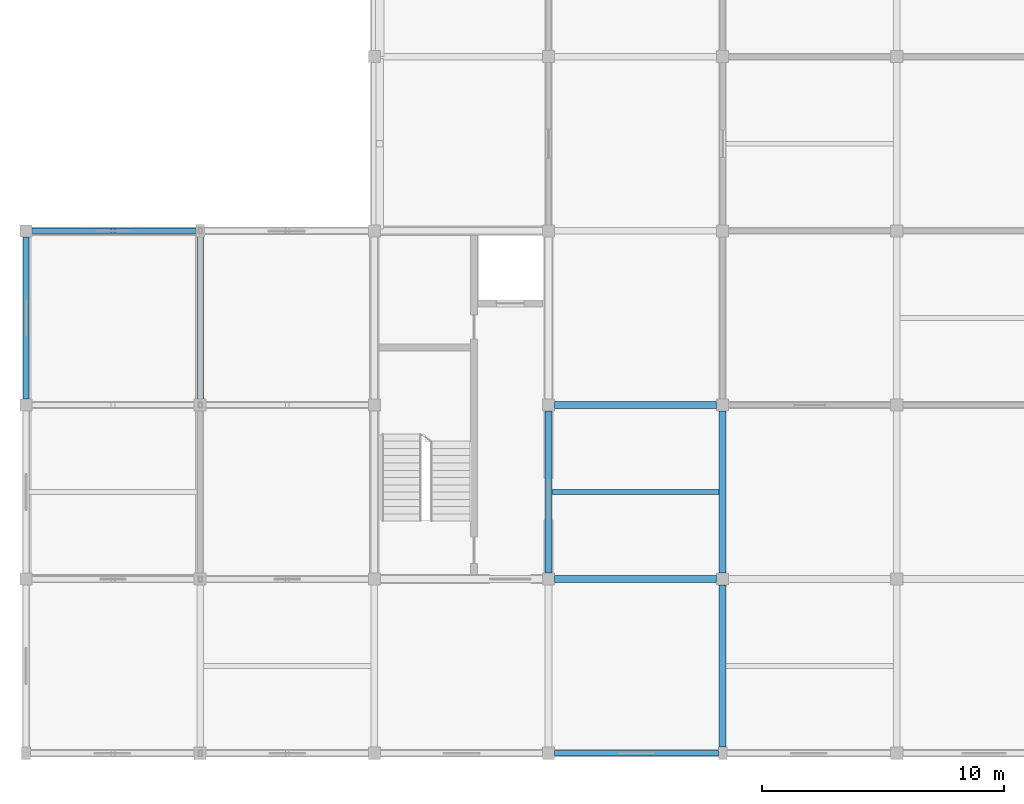
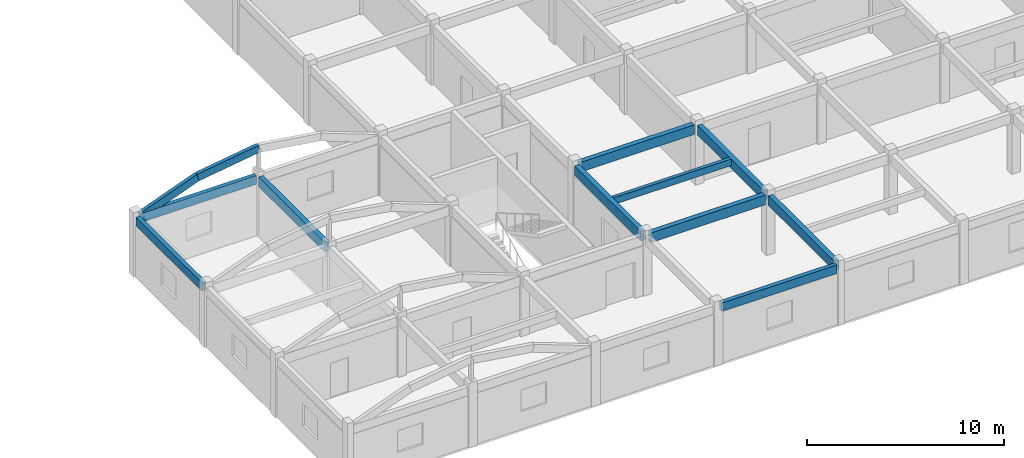
# One storey, part 3 of 10: 10 beams, 2 members.
"""IFC4 building model written with IfcOpenShell, lengths in metres."""

from ifc_helpers import new_model, si_unit, direction, frame, origin, origin_2d, place, context, subcontext, project, spatial, rectangle, extrude, material, material_profile, profile_set, type_object, element, save


model = new_model("IFC4")

# Units and contexts
model_context = context("Model", 3, precision=1e-05, world=origin(), true_north=direction((0.0, 1.0)))
body_context = subcontext(model_context, "Body", "Model", "MODEL_VIEW")
ifc_project = project(units=[si_unit("LENGTHUNIT", "METRE"), si_unit("AREAUNIT", "SQUARE_METRE"), si_unit("VOLUMEUNIT", "CUBIC_METRE"), si_unit("PLANEANGLEUNIT", "RADIAN"), si_unit("MASSUNIT", "GRAM", prefix="KILO")], contexts=[model_context])

# Site, building, storey
site_placement = place(None, origin())
site = spatial("IfcSite", under=ifc_project, at=site_placement, CompositionType="ELEMENT")
building_placement = place(site_placement, origin())
building = spatial("IfcBuilding", under=site, at=building_placement, Name="Cendaluz Park School", CompositionType="ELEMENT")
storey_placement = place(building_placement, frame((0.0, 0.0, 51.0)))
storey = spatial("IfcBuildingStorey", under=building, at=storey_placement, Name="L12", CompositionType="ELEMENT", Elevation=51.0)

# Beams
ifc_material = material(Name="Glulam GL28h", Category="wood")
ifc_material_profile_1 = material_profile(ifc_material, rectangle(XDim=0.280029296875, YDim=0.60009765625, at=origin_2d()), Name="GL28h 280x600", Category="wood")
ifc_profile_set_1 = profile_set([ifc_material_profile_1], Name="Glulam GL28h")
beam_type_1 = type_object("IfcBeamType", Name="BM-GL02", PredefinedType="BEAM", material=ifc_profile_set_1)
for number, where, z_axis, x_axis, name in (
    (1, (72.25, 14.39990234375, 3.389892578125), (1.0, 0.0, 0.0), (0.0, 1.0, 0.0), "BM-L12-BMGL02-0017"),
    (2, (72.25, 21.60009765625, 3.389892578125), (1.0, 0.0, 0.0), (0.0, 1.0, 0.0), "BM-L12-BMGL02-0018"),
):
    element("IfcBeam", number, at=place(storey_placement, frame(where, z_axis=z_axis, x_axis=x_axis)), inside=storey, type_object=beam_type_1, Name=name, PredefinedType="BEAM", context=body_context, shape_type="SweptSolid", body=[
        extrude(rectangle(XDim=0.280029296875, YDim=0.60009765625, at=origin_2d()), origin(), (0.0, 0.0, 1.0), 6.699951171875),
    ])
beam_1_placement = place(storey_placement, frame((57.60009765625, 21.85009765625, 3.389892578125), z_axis=(0.0, 1.0, 0.0), x_axis=(-1.0, 0.0, 0.0)))
element("IfcBeam", 3, at=beam_1_placement, inside=storey, type_object=beam_type_1, Name="BM-L12-BMGL02-0063", PredefinedType="BEAM", context=body_context, shape_type="SweptSolid", body=[
    extrude(rectangle(XDim=0.280029296875, YDim=0.60009765625, at=origin_2d()), origin(), (0.0, 0.0, 1.0), 6.68994140625),
])
beam_2_placement = place(storey_placement, frame((72.0, 14.64990234375, 3.389892578125), z_axis=(0.0, 1.0, 0.0), x_axis=(-1.0, 0.0, 0.0)))
element("IfcBeam", 4, at=beam_2_placement, inside=storey, type_object=beam_type_1, Name="BM-L12-BMGL02-0073", PredefinedType="BEAM", context=body_context, shape_type="SweptSolid", body=[
    extrude(rectangle(XDim=0.280029296875, YDim=0.60009765625, at=origin_2d()), origin(), (0.0, 0.0, 1.0), 6.7001953125),
])
beam_3_placement = place(storey_placement, frame((79.199951171875, 7.4599609375, 3.389892578125), z_axis=(0.0, 1.0, 0.0), x_axis=(-1.0, 0.0, 0.0)))
element("IfcBeam", 5, at=beam_3_placement, inside=storey, type_object=beam_type_1, Name="BM-L12-BMGL02-0080", PredefinedType="BEAM", context=body_context, shape_type="SweptSolid", body=[
    extrude(rectangle(XDim=0.280029296875, YDim=0.60009765625, at=origin_2d()), origin(), (0.0, 0.0, 1.0), 6.68994140625),
])
beam_4_placement = place(storey_placement, frame((79.199951171875, 14.64990234375, 3.389892578125), z_axis=(0.0, 1.0, 0.0), x_axis=(-1.0, 0.0, 0.0)))
element("IfcBeam", 6, at=beam_4_placement, inside=storey, type_object=beam_type_1, Name="BM-L12-BMGL02-0081", PredefinedType="BEAM", context=body_context, shape_type="SweptSolid", body=[
    extrude(rectangle(XDim=0.280029296875, YDim=0.60009765625, at=origin_2d()), origin(), (0.0, 0.0, 1.0), 6.7001953125),
])
ifc_material_profile_2 = material_profile(ifc_material, rectangle(XDim=0.239990234375, YDim=0.52001953125, at=origin_2d()), Name="GL28h 240x520", Category="wood")
ifc_profile_set_2 = profile_set([ifc_material_profile_2], Name="Glulam GL28h")
beam_type_2 = type_object("IfcBeamType", Name="BM-GL03", PredefinedType="SPANDREL", material=ifc_profile_set_2)
for number, where, z_axis, x_axis, name in (
    (7, (50.64990234375, 28.800048828125, 3.429931640625), (1.0, 0.0, 0.0), (0.0, 1.0, 0.0), "BM-L12-BMGL03-0004"),
    (8, (72.25, 7.199951171875, 3.429931640625), (1.0, 0.0, 0.0), (0.0, 1.0, 0.0), "BM-L12-BMGL03-0016"),
):
    element("IfcBeam", number, at=place(storey_placement, frame(where, z_axis=z_axis, x_axis=x_axis)), inside=storey, type_object=beam_type_2, Name=name, PredefinedType="SPANDREL", context=body_context, shape_type="SweptSolid", body=[
        extrude(rectangle(XDim=0.239990234375, YDim=0.52001953125, at=origin_2d()), origin(), (0.0, 0.0, 1.0), 6.77001953125),
    ])
beam_5_placement = place(storey_placement, frame((50.39990234375, 21.85009765625, 3.429931640625), z_axis=(0.0, 1.0, 0.0), x_axis=(-1.0, 0.0, 0.0)))
element("IfcBeam", 9, at=beam_5_placement, inside=storey, type_object=beam_type_2, Name="BM-L12-BMGL03-0060", PredefinedType="SPANDREL", context=body_context, shape_type="SweptSolid", body=[
    extrude(rectangle(XDim=0.239990234375, YDim=0.52001953125, at=origin_2d()), origin(), (0.0, 0.0, 1.0), 6.699951171875),
])
ifc_material_profile_3 = material_profile(ifc_material, rectangle(XDim=0.199951171875, YDim=0.419921875, at=origin_2d()), Name="GL28h 200x420", Category="wood")
ifc_profile_set_3 = profile_set([ifc_material_profile_3], Name="Glulam GL28h")
beam_type_3 = type_object("IfcBeamType", Name="JT-GL02", PredefinedType="JOIST", material=ifc_profile_set_3)
beam_6_placement = place(storey_placement, frame((72.139892578125, 18.0, 3.47998046875), z_axis=(1.0, 0.0, 0.0), x_axis=(0.0, 1.0, 0.0)))
element("IfcBeam", 10, at=beam_6_placement, inside=storey, type_object=beam_type_3, Name="BM-L12-JTGL02-0121", PredefinedType="JOIST", context=body_context, shape_type="SweptSolid", body=[
    extrude(rectangle(XDim=0.199951171875, YDim=0.419921875, at=origin_2d()), origin(), (0.0, 0.0, 1.0), 6.920166015625),
])

# Members
ifc_material_profile_4 = material_profile(ifc_material, rectangle(XDim=0.219970703125, YDim=0.4599609375, at=origin_2d()), Name="GL28h 220x460", Category="wood")
ifc_profile_set_4 = profile_set([ifc_material_profile_4], Name="Glulam GL28h")
member_type = type_object("IfcMemberType", Name="MB-CH03", PredefinedType="CHORD", material=ifc_profile_set_4)
member_1_placement = place(storey_placement, frame((50.64990234375, 28.800048828125, 3.5), z_axis=(0.936458125495, 0.0, 0.350779388212), x_axis=(0.0, 1.0, 0.0)))
element("IfcMember", 11, at=member_1_placement, inside=storey, type_object=member_type, Name="MB-L12-MBCH03-0029", PredefinedType="CHORD", context=body_context, shape_type="SweptSolid", body=[
    extrude(rectangle(XDim=0.219970703125, YDim=0.4599609375, at=origin_2d()), origin(), (0.0, 0.0, 1.0), 3.577392578125),
])
member_2_placement = place(storey_placement, frame((54.0, 28.800048828125, 4.7548828125), z_axis=(0.989131312864, 0.0, 0.147034845911), x_axis=(0.0, 1.0, 0.0)))
element("IfcMember", 12, at=member_2_placement, inside=storey, type_object=member_type, Name="MB-L12-MBCH03-0030", PredefinedType="CHORD", context=body_context, shape_type="SweptSolid", body=[
    extrude(rectangle(XDim=0.219970703125, YDim=0.4599609375, at=origin_2d()), origin(), (0.0, 0.0, 1.0), 3.6396484375),
])

save(model, "model.ifc")
